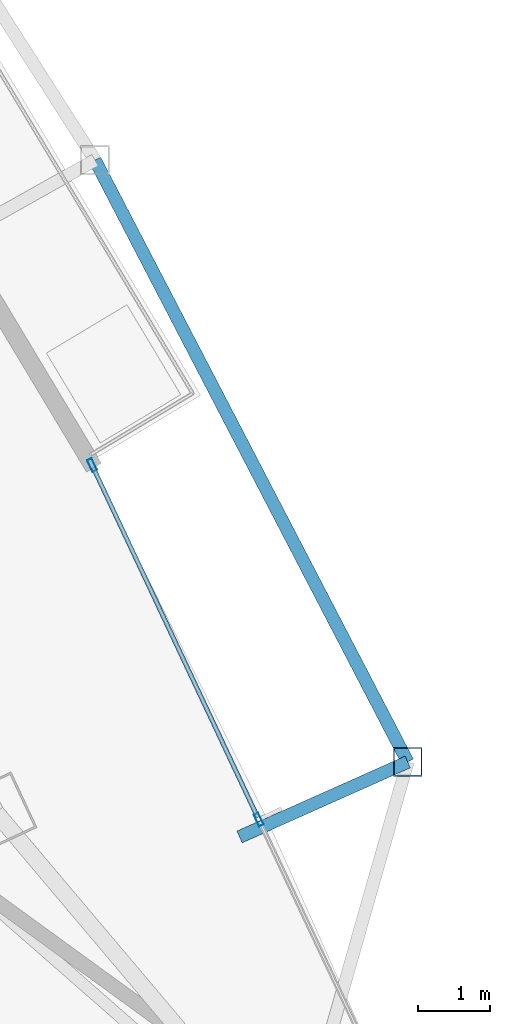
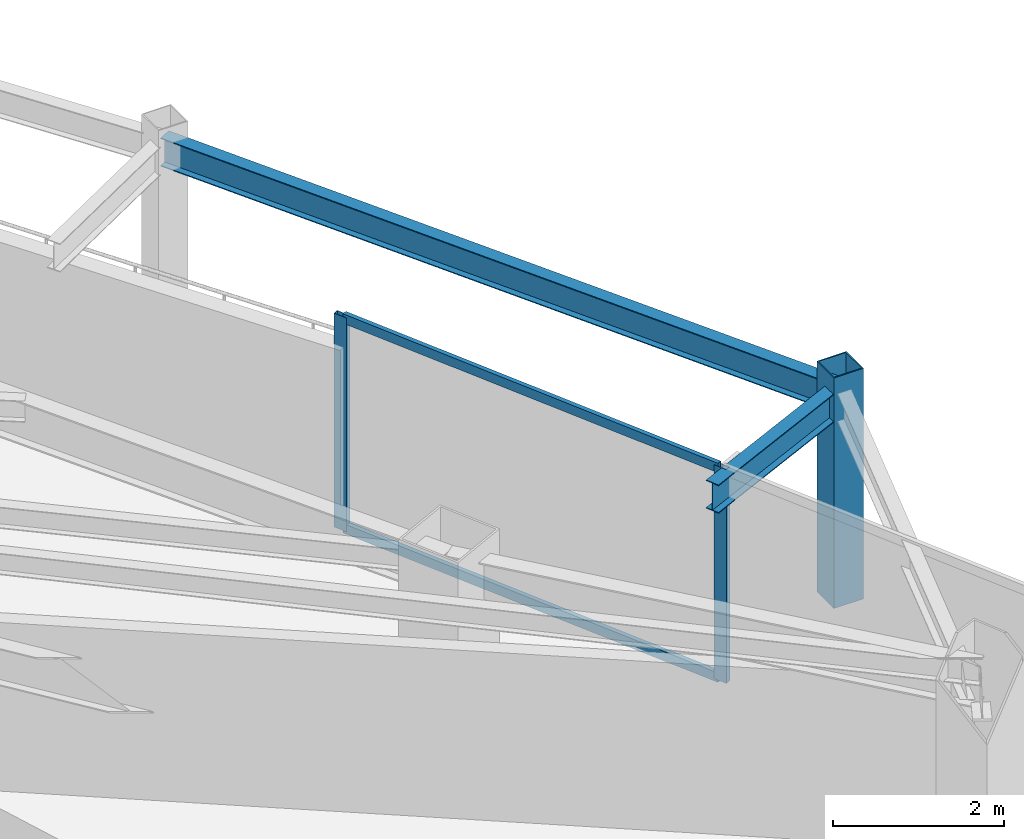
# One storey, part 16 of 29: 5 members, 2 beams, 1 element without a shape of its own.
"""IFC4 building model written with IfcOpenShell, lengths in metres."""

from ifc_helpers import new_model, si_unit, direction, frame, origin, origin_2d, place, context, subcontext, project, spatial, hollow_rectangle, i_section, extrude, material, layer, layer_set, material_profile, profile_set, type_object, element, aggregate, save


model = new_model("IFC4")

# Units and contexts
model_context = context("Model", 3, precision=1e-05, world=origin(), true_north=direction((0.0, 1.0)))
body_context = subcontext(model_context, "Body", "Model", "MODEL_VIEW")
ifc_project = project(units=[si_unit("LENGTHUNIT", "METRE"), si_unit("AREAUNIT", "SQUARE_METRE"), si_unit("VOLUMEUNIT", "CUBIC_METRE"), si_unit("PLANEANGLEUNIT", "RADIAN"), si_unit("MASSUNIT", "GRAM", prefix="KILO")], contexts=[model_context])

# Site, building, storey
site_placement = place(None, origin())
site = spatial("IfcSite", under=ifc_project, at=site_placement, CompositionType="ELEMENT")
building_placement = place(site_placement, origin())
building = spatial("IfcBuilding", under=site, at=building_placement, Name="Orvanel Arch Residences", CompositionType="ELEMENT")
storey_placement = place(building_placement, frame((0.0, 0.0, 160.550048828125)))
storey = spatial("IfcBuildingStorey", under=building, at=storey_placement, Name="L45", CompositionType="ELEMENT", Elevation=160.550048828125)

# Curtain wall, members
ifc_material_1 = material(Name="Bronze-anodised aluminium AA6063-T6", Category="aluminium")
ifc_layer = layer(ifc_material_1, 0.179931640625)
ifc_layer_set = layer_set([ifc_layer], Name="Bronze-anodised aluminium AA6063-T6")
curtain_wall_type = type_object("IfcCurtainWallType", Name="CW3-MID-SYS", PredefinedType="NOTDEFINED", material=ifc_layer_set)
curtain_wall_placement = place(storey_placement, origin())
curtain_wall = element("IfcCurtainWall", 1, at=curtain_wall_placement, inside=storey, type_object=curtain_wall_type, Name="L45 CW3-MID-SYS Unitised Curtain Wall", PredefinedType="NOTDEFINED")
ifc_material_profile_1 = material_profile(ifc_material_1, hollow_rectangle(XDim=0.070068359375, YDim=0.179931640625, WallThickness=0.00439453125, at=origin_2d()), Name="ALU180x70x4.5")
ifc_profile_set_1 = profile_set([ifc_material_profile_1], Name="Bronze-anodised aluminium AA6063-T6")
member_type_1 = type_object("IfcMemberType", Name="MUL-180x70", PredefinedType="MULLION", material=ifc_profile_set_1)
member_1_placement = place(storey_placement, frame((53.26904296875, 19.5458984375, 0.0), z_axis=(0.0, 0.0, 1.0), x_axis=(-0.904972224309, -0.42547064908, 0.0)))
member_1 = element("IfcMember", 2, at=member_1_placement, type_object=member_type_1, Name="CW-S3 mullion 2", PredefinedType="MULLION", context=body_context, shape_type="SweptSolid", body=[
    extrude(hollow_rectangle(XDim=0.070068359375, YDim=0.179931640625, WallThickness=0.00439453125, at=origin_2d()), origin(), (0.0, 0.0, 1.0), 3.06005859375),
])
member_2_placement = place(storey_placement, frame((50.9609375, 24.455322265625, 0.0), z_axis=(0.0, 0.0, 1.0), x_axis=(-0.904972224309, -0.42547064908, 0.0)))
member_2 = element("IfcMember", 3, at=member_2_placement, type_object=member_type_1, Name="CW-S3 mullion 3", PredefinedType="MULLION", context=body_context, shape_type="SweptSolid", body=[
    extrude(hollow_rectangle(XDim=0.070068359375, YDim=0.179931640625, WallThickness=0.00439453125, at=origin_2d()), origin(), (0.0, 0.0, 1.0), 3.06005859375),
])

# Beams
ifc_material_2 = material(Name="Structural steel AS/NZS 3679.1 Grade 300 (300 MPa)", Category="steel")
ifc_material_profile_2 = material_profile(ifc_material_2, i_section(OverallWidth=0.177978515625, OverallDepth=0.406005859375, WebThickness=0.0078125, FlangeThickness=0.0126953125, at=origin_2d()), Name="410UB59.7")
ifc_profile_set_2 = profile_set([ifc_material_profile_2], Name="Structural steel AS/NZS 3679.1 Grade 300 (300 MPa)")
beam_type = type_object("IfcBeamType", Name="OB-410UB-EXT", PredefinedType="SPANDREL", material=ifc_profile_set_2)
beam_1_placement = place(storey_placement, frame((53.0029296875, 19.304931640625, 2.85693359375), z_axis=(0.913242208685, 0.4074170692, 0.0), x_axis=(-0.4074170692, 0.913242208685, 0.0)))
element("IfcBeam", 4, at=beam_1_placement, inside=storey, type_object=beam_type, Name="L45 Outer Frame Radial Tie Beam 09", PredefinedType="SPANDREL", context=body_context, shape_type="SweptSolid", body=[
    extrude(i_section(OverallWidth=0.177978515625, OverallDepth=0.406005859375, WebThickness=0.0078125, FlangeThickness=0.0126953125, at=origin_2d()), origin(), (0.0, 0.0, 1.0), 2.55029296875),
])
beam_2_placement = place(storey_placement, frame((55.33203125, 20.343994140625, 2.85693359375), z_axis=(-0.461090836527, 0.887352940194, 0.0), x_axis=(-0.887352940194, -0.461090836527, 0.0)))
element("IfcBeam", 5, at=beam_2_placement, inside=storey, type_object=beam_type, Name="L45 Outer Perimeter Floor Ring Beam 09", PredefinedType="SPANDREL", context=body_context, shape_type="SweptSolid", body=[
    extrude(i_section(OverallWidth=0.177978515625, OverallDepth=0.406005859375, WebThickness=0.0078125, FlangeThickness=0.0126953125, at=origin_2d()), origin(), (0.0, 0.0, 1.0), 9.39306640625),
])

# Member
ifc_material_3 = material(Name="Structural steel AS/NZS 1163 C450L0 (Grade 450)", Category="steel")
ifc_material_profile_3 = material_profile(ifc_material_3, hollow_rectangle(XDim=0.39990234375, YDim=0.39990234375, WallThickness=0.01611328125, at=origin_2d()), Name="SHS400x400x16")
ifc_profile_set_3 = profile_set([ifc_material_profile_3], Name="Structural steel AS/NZS 1163 C450L0 (Grade 450)")
member_type_2 = type_object("IfcMemberType", Name="ST-400SHS-EXT", PredefinedType="STRUT", material=ifc_profile_set_3)
member_3_placement = place(storey_placement, frame((55.33203125, 20.343994140625, 0.0), z_axis=(0.0, 0.0, 1.0), x_axis=(1.0, 0.0, 0.0)))
element("IfcMember", 6, at=member_3_placement, inside=storey, type_object=member_type_2, Name="L45 Outer Perimeter Frame Post 09", PredefinedType="STRUT", context=body_context, shape_type="SweptSolid", body=[
    extrude(hollow_rectangle(XDim=0.39990234375, YDim=0.39990234375, WallThickness=0.01611328125, at=origin_2d()), origin(), (0.0, 0.0, 1.0), 3.300048828125),
])

ifc_material_profile_4 = material_profile(ifc_material_1, hollow_rectangle(XDim=0.06005859375, YDim=0.135009765625, WallThickness=0.00390625, at=origin_2d()), Name="ALU135x60x4")
ifc_profile_set_4 = profile_set([ifc_material_profile_4], Name="Bronze-anodised aluminium AA6063-T6")
member_type_3 = type_object("IfcMemberType", Name="TRN-135x60", PredefinedType="USERDEFINED", material=ifc_profile_set_4)
member_4_placement = place(storey_placement, frame((53.254150390625, 19.57763671875, 0.030029296875), z_axis=(-0.425472047127, 0.904971567019, 0.0), x_axis=(-0.904971567019, -0.425472047127, 0.0)))
member_4 = element("IfcMember", 7, at=member_4_placement, type_object=member_type_3, Name="CW-S3 transom 2.1", ObjectType="TRANSOM", PredefinedType="USERDEFINED", context=body_context, shape_type="SweptSolid", body=[
    extrude(hollow_rectangle(XDim=0.06005859375, YDim=0.135009765625, WallThickness=0.00390625, at=origin_2d()), origin(), (0.0, 0.0, 1.0), 5.354736328125),
])

member_5_placement = place(storey_placement, frame((53.254150390625, 19.57763671875, 3.030029296875), z_axis=(-0.425472047127, 0.904971567019, 0.0), x_axis=(-0.904971567019, -0.425472047127, 0.0)))
member_5 = element("IfcMember", 8, at=member_5_placement, type_object=member_type_3, Name="CW-S3 transom 2.2", ObjectType="TRANSOM", PredefinedType="USERDEFINED", context=body_context, shape_type="SweptSolid", body=[
    extrude(hollow_rectangle(XDim=0.06005859375, YDim=0.135009765625, WallThickness=0.00390625, at=origin_2d()), origin(), (0.0, 0.0, 1.0), 5.354736328125),
])

aggregate(curtain_wall, [member_1, member_2, member_4, member_5])

save(model, "model.ifc")
